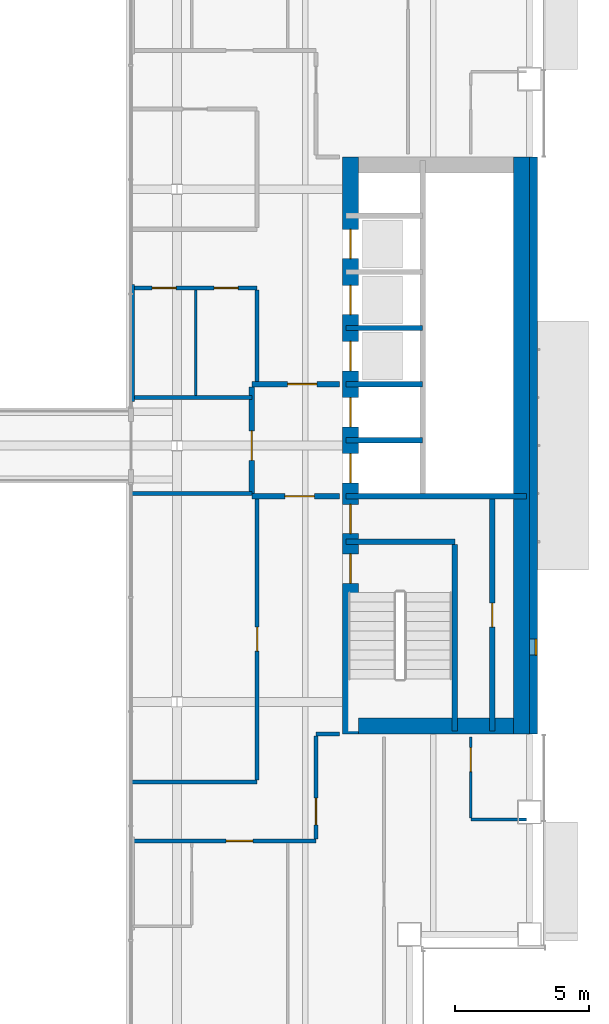
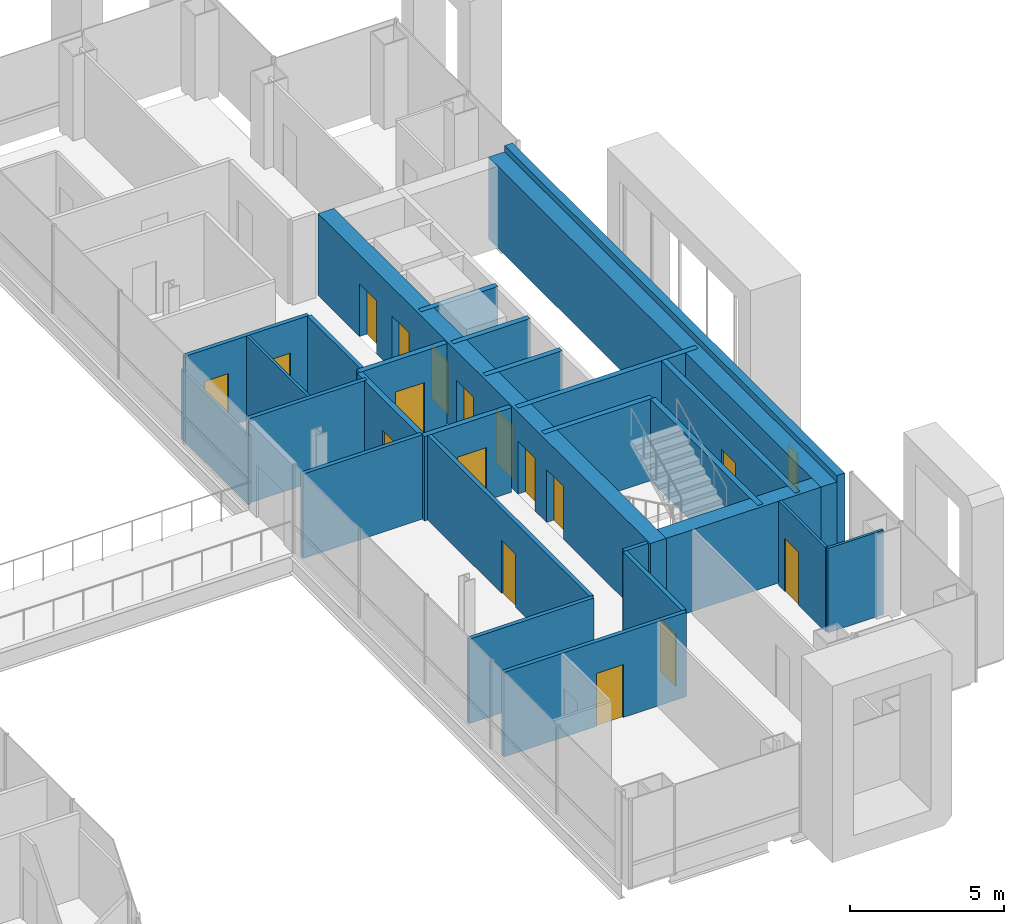
# One storey, part 13 of 20: 27 walls, 17 doors, 1 window, 18 openings.
"""IFC4 building model written with IfcOpenShell, lengths in metres."""

from ifc_helpers import new_model, si_unit, direction, frame, frame_2d, origin, place, context, subcontext, project, spatial, rectangle, extrude, material, layer, layer_set, type_object, element, fill, save


model = new_model("IFC4")

# Units and contexts
model_context = context("Model", 3, precision=1e-05, world=origin(), true_north=direction((0.0, 1.0)))
body_context = subcontext(model_context, "Body", "Model", "MODEL_VIEW")
ifc_project = project(units=[si_unit("LENGTHUNIT", "METRE"), si_unit("AREAUNIT", "SQUARE_METRE"), si_unit("VOLUMEUNIT", "CUBIC_METRE"), si_unit("PLANEANGLEUNIT", "RADIAN"), si_unit("MASSUNIT", "GRAM", prefix="KILO")], contexts=[model_context])

# Site, building, storey
site_placement = place(None, origin())
site = spatial("IfcSite", under=ifc_project, at=site_placement, CompositionType="ELEMENT")
building_placement = place(site_placement, origin())
building = spatial("IfcBuilding", under=site, at=building_placement, Name="Cobrizo Arcos Hotel Tower", CompositionType="ELEMENT")
storey_placement = place(building_placement, frame((0.0, 0.0, 124.0)))
storey = spatial("IfcBuildingStorey", under=building, at=storey_placement, Name="L31", CompositionType="ELEMENT", Elevation=124.0)

# Wall, opening, door
ifc_material_1 = material(Name="Gypsum board partition")
ifc_layer_1 = layer(ifc_material_1, 0.14990234375)
ifc_layer_set_1 = layer_set([ifc_layer_1], Name="Corridor wall EI 60 150")
wall_type_1 = type_object("IfcWallType", Name="Corridor wall EI 60 150", PredefinedType="PARTITIONING", material=ifc_layer_set_1)
wall_1_placement = place(storey_placement, frame((7.949951171875, -14.800048828125, 0.0), z_axis=(0.0, 0.0, 1.0), x_axis=(1.0, 0.0, 0.0)))
wall_1 = element("IfcWall", 1, at=wall_1_placement, inside=storey, type_object=wall_type_1, Name="Partition 006", PredefinedType="PARTITIONING", context=body_context, shape_type="SweptSolid", body=[
    extrude(rectangle(XDim=6.85009765625, YDim=0.14990234375, at=frame_2d((3.425048828125, 0.0))), origin(), (0.0, 0.0, 1.0), 3.35009765625),
])
opening_1_placement = place(wall_1_placement, frame((3.487060546875, 0.0, 0.0)))
opening_1 = element("IfcOpeningElement", 2, at=opening_1_placement, cuts=wall_1, Name="Opening GD-03", PredefinedType="OPENING", context=body_context, shape_type="SweptSolid", body=[
    extrude(rectangle(XDim=1.0, YDim=2.10009765625, at=frame_2d((0.5, 1.050048828125))), frame((0.0, 0.0869140625, 0.0), z_axis=(0.0, -1.0, 0.0), x_axis=(1.0, 0.0, 0.0)), (0.0, 0.0, 1.0), 0.173828125),
])
ifc_material_2 = material(Name="Timber door leaf", Category="wood")
door_type_1 = type_object("IfcDoorType", Name="Guest room door FD30S 1000x2100", OperationType="SINGLE_SWING_LEFT", PredefinedType="DOOR", material=ifc_material_2)
door_1_placement = place(opening_1_placement, origin())
door_1 = element("IfcDoor", 3, at=door_1_placement, inside=storey, type_object=door_type_1, Name="Door GD-03", OperationType="SINGLE_SWING_RIGHT", OverallHeight=2.10009765625, OverallWidth=1.0, PredefinedType="DOOR", context=body_context, shape_type="SweptSolid", body=[
    extrude(rectangle(XDim=1.0, YDim=2.10009765625, at=frame_2d((0.5, 1.050048828125))), frame((0.0, 0.02490234375, 0.0), z_axis=(0.0, -1.0, 0.0), x_axis=(1.0, 0.0, 0.0)), (0.0, 0.0, 1.0), 0.050048828125),
])
fill(opening_1, door_1)

# Walls
wall_2_placement = place(storey_placement, frame((7.919921875, -12.60009765625, 0.0), z_axis=(0.0, 0.0, 1.0), x_axis=(1.0, 0.0, 0.0)))
element("IfcWall", 4, at=wall_2_placement, inside=storey, type_object=wall_type_1, Name="Partition 009", PredefinedType="PARTITIONING", context=body_context, shape_type="SweptSolid", body=[
    extrude(rectangle(XDim=4.68017578125, YDim=0.14990234375, at=frame_2d((2.340087890625, 0.0))), origin(), (0.0, 0.0, 1.0), 3.35009765625),
])
wall_3_placement = place(storey_placement, frame((14.800048828125, -10.800048828125, 0.0), z_axis=(0.0, 0.0, 1.0), x_axis=(1.0, 0.0, 0.0)))
element("IfcWall", 5, at=wall_3_placement, inside=storey, type_object=wall_type_1, Name="Partition 011", PredefinedType="PARTITIONING", context=body_context, shape_type="SweptSolid", body=[
    extrude(rectangle(XDim=0.8798828125, YDim=0.14990234375, at=frame_2d((0.43994140625, 0.0))), origin(), (0.0, 0.0, 1.0), 3.35009765625),
])
wall_4_placement = place(storey_placement, frame((7.919921875, -1.800048828125, 0.0), z_axis=(0.0, 0.0, 1.0), x_axis=(1.0, 0.0, 0.0)))
element("IfcWall", 6, at=wall_4_placement, inside=storey, type_object=wall_type_1, Name="Partition 019", PredefinedType="PARTITIONING", context=body_context, shape_type="SweptSolid", body=[
    extrude(rectangle(XDim=4.47998046875, YDim=0.14990234375, at=frame_2d((2.239990234375, 0.0))), origin(), (0.0, 0.0, 1.0), 3.35009765625),
])
wall_5_placement = place(storey_placement, frame((7.949951171875, 1.800048828125, 0.0), z_axis=(0.0, 0.0, 1.0), x_axis=(1.0, 0.0, 0.0)))
element("IfcWall", 7, at=wall_5_placement, inside=storey, type_object=wall_type_1, Name="Partition 023", PredefinedType="PARTITIONING", context=body_context, shape_type="SweptSolid", body=[
    extrude(rectangle(XDim=4.449951171875, YDim=0.14990234375, at=frame_2d((2.22509765625, 0.0))), origin(), (0.0, 0.0, 1.0), 3.35009765625),
])

# Wall, openings, doors
wall_6_placement = place(storey_placement, frame((7.949951171875, 5.89990234375, 0.0), z_axis=(0.0, 0.0, 1.0), x_axis=(1.0, 0.0, 0.0)))
wall_6 = element("IfcWall", 8, at=wall_6_placement, inside=storey, type_object=wall_type_1, Name="Partition 031", PredefinedType="PARTITIONING", context=body_context, shape_type="SweptSolid", body=[
    extrude(rectangle(XDim=4.650146484375, YDim=0.14990234375, at=frame_2d((2.3251953125, 0.0))), origin(), (0.0, 0.0, 1.0), 3.35009765625),
])
opening_2_placement = place(wall_6_placement, frame((0.712890625, 0.0, 0.0)))
opening_2 = element("IfcOpeningElement", 9, at=opening_2_placement, cuts=wall_6, Name="Opening ED-10", PredefinedType="OPENING", context=body_context, shape_type="SweptSolid", body=[
    extrude(rectangle(XDim=0.89990234375, YDim=2.10009765625, at=frame_2d((0.449951171875, 1.050048828125))), frame((0.0, 0.0869140625, 0.0), z_axis=(0.0, -1.0, 0.0), x_axis=(1.0, 0.0, 0.0)), (0.0, 0.0, 1.0), 0.173828125),
])
opening_3_placement = place(wall_6_placement, frame((3.037109375, 0.0, 0.0)))
opening_3 = element("IfcOpeningElement", 10, at=opening_3_placement, cuts=wall_6, Name="Opening ED-11", PredefinedType="OPENING", context=body_context, shape_type="SweptSolid", body=[
    extrude(rectangle(XDim=0.89990234375, YDim=2.10009765625, at=frame_2d((0.449951171875, 1.050048828125))), frame((0.0, 0.0869140625, 0.0), z_axis=(0.0, -1.0, 0.0), x_axis=(1.0, 0.0, 0.0)), (0.0, 0.0, 1.0), 0.173828125),
])
door_type_2 = type_object("IfcDoorType", Name="En-suite door 900x2100", OperationType="SINGLE_SWING_LEFT", PredefinedType="DOOR", material=ifc_material_2)
door_2_placement = place(opening_2_placement, origin())
door_2 = element("IfcDoor", 11, at=door_2_placement, inside=storey, type_object=door_type_2, Name="Door ED-10", OperationType="SINGLE_SWING_LEFT", OverallHeight=2.10009765625, OverallWidth=0.89990234375, PredefinedType="DOOR", context=body_context, shape_type="SweptSolid", body=[
    extrude(rectangle(XDim=0.89990234375, YDim=2.10009765625, at=frame_2d((0.449951171875, 1.050048828125))), frame((0.0, 0.02490234375, 0.0), z_axis=(0.0, -1.0, 0.0), x_axis=(1.0, 0.0, 0.0)), (0.0, 0.0, 1.0), 0.050048828125),
])
fill(opening_2, door_2)
door_3_placement = place(opening_3_placement, origin())
door_3 = element("IfcDoor", 12, at=door_3_placement, inside=storey, type_object=door_type_2, Name="Door ED-11", OperationType="SINGLE_SWING_RIGHT", OverallHeight=2.10009765625, OverallWidth=0.89990234375, PredefinedType="DOOR", context=body_context, shape_type="SweptSolid", body=[
    extrude(rectangle(XDim=0.89990234375, YDim=2.10009765625, at=frame_2d((0.449951171875, 1.050048828125))), frame((0.0, 0.02490234375, 0.0), z_axis=(0.0, -1.0, 0.0), x_axis=(1.0, 0.0, 0.0)), (0.0, 0.0, 1.0), 0.050048828125),
])
fill(opening_3, door_3)

# Wall, opening, door
wall_7_placement = place(storey_placement, frame((12.60009765625, -12.52490234375, 0.0), z_axis=(0.0, 0.0, 1.0), x_axis=(0.0, 1.0, 0.0)))
wall_7 = element("IfcWall", 13, at=wall_7_placement, inside=storey, type_object=wall_type_1, Name="Partition 073", PredefinedType="PARTITIONING", context=body_context, shape_type="SweptSolid", body=[
    extrude(rectangle(XDim=10.52490234375, YDim=0.14990234375, at=frame_2d((5.262451171875, 0.0))), origin(), (0.0, 0.0, 1.0), 3.35009765625),
])
opening_4_placement = place(wall_7_placement, frame((4.824951171875, 0.0, 0.0)))
opening_4 = element("IfcOpeningElement", 14, at=opening_4_placement, cuts=wall_7, Name="Opening RD-10", PredefinedType="OPENING", context=body_context, shape_type="SweptSolid", body=[
    extrude(rectangle(XDim=0.89990234375, YDim=2.10009765625, at=frame_2d((0.449951171875, 1.050048828125))), frame((0.0, 0.0869140625, 0.0), z_axis=(0.0, -1.0, 0.0), x_axis=(1.0, 0.0, 0.0)), (0.0, 0.0, 1.0), 0.173828125),
])
door_type_3 = type_object("IfcDoorType", Name="Room door FD30 900x2100", OperationType="SINGLE_SWING_LEFT", PredefinedType="DOOR", material=ifc_material_2)
door_4_placement = place(opening_4_placement, origin())
door_4 = element("IfcDoor", 15, at=door_4_placement, inside=storey, type_object=door_type_3, Name="Door RD-10", OperationType="SINGLE_SWING_RIGHT", OverallHeight=2.10009765625, OverallWidth=0.89990234375, PredefinedType="DOOR", context=body_context, shape_type="SweptSolid", body=[
    extrude(rectangle(XDim=0.89990234375, YDim=2.10009765625, at=frame_2d((0.449951171875, 1.050048828125))), frame((0.0, 0.02490234375, 0.0), z_axis=(0.0, -1.0, 0.0), x_axis=(1.0, 0.0, 0.0)), (0.0, 0.0, 1.0), 0.050048828125),
])
fill(opening_4, door_4)

# Wall
wall_8_placement = place(storey_placement, frame((12.60009765625, 2.39990234375, 0.0), z_axis=(0.0, 0.0, 1.0), x_axis=(0.0, 1.0, 0.0)))
element("IfcWall", 16, at=wall_8_placement, inside=storey, type_object=wall_type_1, Name="Partition 074", PredefinedType="PARTITIONING", context=body_context, shape_type="SweptSolid", body=[
    extrude(rectangle(XDim=3.425048828125, YDim=0.14990234375, at=frame_2d((1.71240234375, 0.0))), origin(), (0.0, 0.0, 1.0), 3.35009765625),
])

# Wall, opening, door
wall_9_placement = place(storey_placement, frame((14.800048828125, -14.72509765625, 0.0), z_axis=(0.0, 0.0, 1.0), x_axis=(0.0, 1.0, 0.0)))
wall_9 = element("IfcWall", 17, at=wall_9_placement, inside=storey, type_object=wall_type_1, Name="Partition 078", PredefinedType="PARTITIONING", context=body_context, shape_type="SweptSolid", body=[
    extrude(rectangle(XDim=3.85009765625, YDim=0.14990234375, at=frame_2d((1.925048828125, 0.0))), origin(), (0.0, 0.0, 1.0), 3.35009765625),
])
opening_5_placement = place(wall_9_placement, frame((0.52490234375, 0.0, 0.0)))
opening_5 = element("IfcOpeningElement", 18, at=opening_5_placement, cuts=wall_9, Name="Opening GD-07", PredefinedType="OPENING", context=body_context, shape_type="SweptSolid", body=[
    extrude(rectangle(XDim=1.0, YDim=2.10009765625, at=frame_2d((0.5, 1.050048828125))), frame((0.0, 0.0869140625, 0.0), z_axis=(0.0, -1.0, 0.0), x_axis=(1.0, 0.0, 0.0)), (0.0, 0.0, 1.0), 0.173828125),
])
door_5_placement = place(opening_5_placement, origin())
door_5 = element("IfcDoor", 19, at=door_5_placement, inside=storey, type_object=door_type_1, Name="Door GD-07", OperationType="SINGLE_SWING_LEFT", OverallHeight=2.10009765625, OverallWidth=1.0, PredefinedType="DOOR", context=body_context, shape_type="SweptSolid", body=[
    extrude(rectangle(XDim=1.0, YDim=2.10009765625, at=frame_2d((0.5, 1.050048828125))), frame((0.0, 0.02490234375, 0.0), z_axis=(0.0, -1.0, 0.0), x_axis=(1.0, 0.0, 0.0)), (0.0, 0.0, 1.0), 0.050048828125),
])
fill(opening_5, door_5)

# Wall, opening, window
ifc_material_3 = material(Name="Aluminium composite panel pale metal", Category="aluminium")
ifc_layer_2 = layer(ifc_material_3, 0.300048828125)
ifc_layer_set_2 = layer_set([ifc_layer_2], Name="EW-1 insulated panel wall 300")
wall_type_2 = type_object("IfcWallType", Name="EW-1 insulated panel wall 300", PredefinedType="SOLIDWALL", material=ifc_layer_set_2)
wall_10_placement = place(storey_placement, frame((22.949951171875, -10.800048828125, 0.0), z_axis=(0.0, 0.0, 1.0), x_axis=(0.0, 1.0, 0.0)))
wall_10 = element("IfcWall", 20, at=wall_10_placement, inside=storey, type_object=wall_type_2, Name="Core face wall L31 E", PredefinedType="SOLIDWALL", context=body_context, shape_type="SweptSolid", body=[
    extrude(rectangle(XDim=21.60009765625, YDim=0.300048828125, at=frame_2d((10.800048828125, 0.0))), origin(), (0.0, 0.0, 1.0), 3.5),
])
opening_6_placement = place(wall_10_placement, frame((2.949951171875, 0.0, 1.0)))
opening_6 = element("IfcOpeningElement", 21, at=opening_6_placement, cuts=wall_10, Name="Opening W-63", PredefinedType="OPENING", context=body_context, shape_type="SweptSolid", body=[
    extrude(rectangle(XDim=0.60009765625, YDim=1.5, at=frame_2d((0.300048828125, 0.75))), frame((0.0, 0.162109375, 0.0), z_axis=(0.0, -1.0, 0.0), x_axis=(1.0, 0.0, 0.0)), (0.0, 0.0, 1.0), 0.323974609375),
])
ifc_material_4 = material(Name="Aluminium 6063-T6 and clear laminated glass", Category="aluminium")
window_type = type_object("IfcWindowType", Name="W-C1 core stair slot window 600x1500", PartitioningType="SINGLE_PANEL", PredefinedType="WINDOW", material=ifc_material_4)
window_placement = place(opening_6_placement, origin())
window = element("IfcWindow", 22, at=window_placement, inside=storey, type_object=window_type, Name="Core face wall L31 E window W-63", OverallHeight=1.5, OverallWidth=0.60009765625, PartitioningType="SINGLE_PANEL", PredefinedType="WINDOW", context=body_context, shape_type="SweptSolid", body=[
    extrude(rectangle(XDim=0.60009765625, YDim=1.5, at=frame_2d((0.300048828125, 0.75))), frame((0.0, -0.06005859375, 0.0), z_axis=(0.0, -1.0, 0.0), x_axis=(1.0, 0.0, 0.0)), (0.0, 0.0, 1.0), 0.06005859375),
])
fill(opening_6, window)

# Walls
ifc_layer_3 = layer(ifc_material_1, 0.10009765625)
ifc_layer_set_3 = layer_set([ifc_layer_3], Name="Partition EI 30 100")
wall_type_3 = type_object("IfcWallType", Name="Partition EI 30 100", PredefinedType="PARTITIONING", material=ifc_layer_set_3)
wall_11_placement = place(storey_placement, frame((20.60009765625, -14.0, 0.0), z_axis=(0.0, 0.0, 1.0), x_axis=(1.0, 0.0, 0.0)))
element("IfcWall", 23, at=wall_11_placement, inside=storey, type_object=wall_type_3, Name="Partition 007", PredefinedType="PARTITIONING", context=body_context, shape_type="SweptSolid", body=[
    extrude(rectangle(XDim=2.079833984375, YDim=0.10009765625, at=frame_2d((1.0400390625, 0.0))), origin(), (0.0, 0.0, 1.0), 3.35009765625),
])
wall_12_placement = place(storey_placement, frame((7.949951171875, 1.659912109375, 0.0), z_axis=(0.0, 0.0, 1.0), x_axis=(0.0, 1.0, 0.0)))
element("IfcWall", 24, at=wall_12_placement, inside=storey, type_object=wall_type_3, Name="Partition 067", PredefinedType="PARTITIONING", context=body_context, shape_type="SweptSolid", body=[
    extrude(rectangle(XDim=4.380126953125, YDim=0.10009765625, at=frame_2d((2.18994140625, 0.0))), origin(), (0.0, 0.0, 1.0), 2.73291015625),
])
wall_13_placement = place(storey_placement, frame((10.300048828125, 1.875, 0.0), z_axis=(0.0, 0.0, 1.0), x_axis=(0.0, 1.0, 0.0)))
element("IfcWall", 25, at=wall_13_placement, inside=storey, type_object=wall_type_3, Name="Partition 071", PredefinedType="PARTITIONING", context=body_context, shape_type="SweptSolid", body=[
    extrude(rectangle(XDim=3.949951171875, YDim=0.10009765625, at=frame_2d((1.97509765625, 0.0))), origin(), (0.0, 0.0, 1.0), 3.35009765625),
])

# Wall, opening, door
wall_14_placement = place(storey_placement, frame((20.60009765625, -13.949951171875, 0.0), z_axis=(0.0, 0.0, 1.0), x_axis=(0.0, 1.0, 0.0)))
wall_14 = element("IfcWall", 26, at=wall_14_placement, inside=storey, type_object=wall_type_3, Name="Partition 084", PredefinedType="PARTITIONING", context=body_context, shape_type="SweptSolid", body=[
    extrude(rectangle(XDim=3.030029296875, YDim=0.10009765625, at=frame_2d((1.51513671875, 0.0))), origin(), (0.0, 0.0, 1.0), 3.35009765625),
])
opening_7_placement = place(wall_14_placement, frame((1.739990234375, 0.0, 0.0)))
opening_7 = element("IfcOpeningElement", 27, at=opening_7_placement, cuts=wall_14, Name="Opening ED-08", PredefinedType="OPENING", context=body_context, shape_type="SweptSolid", body=[
    extrude(rectangle(XDim=0.89990234375, YDim=2.10009765625, at=frame_2d((0.449951171875, 1.050048828125))), frame((0.0, 0.06201171875, 0.0), z_axis=(0.0, -1.0, 0.0), x_axis=(1.0, 0.0, 0.0)), (0.0, 0.0, 1.0), 0.1240234375),
])
door_6_placement = place(opening_7_placement, origin())
door_6 = element("IfcDoor", 28, at=door_6_placement, inside=storey, type_object=door_type_2, Name="Door ED-08", OperationType="SINGLE_SWING_LEFT", OverallHeight=2.10009765625, OverallWidth=0.89990234375, PredefinedType="DOOR", context=body_context, shape_type="SweptSolid", body=[
    extrude(rectangle(XDim=0.89990234375, YDim=2.10009765625, at=frame_2d((0.449951171875, 1.050048828125))), frame((0.0, 0.02490234375, 0.0), z_axis=(0.0, -1.0, 0.0), x_axis=(1.0, 0.0, 0.0)), (0.0, 0.0, 1.0), 0.050048828125),
])
fill(opening_7, door_6)

# Wall, openings, doors
ifc_material_5 = material(Name="Concrete f'c 50 MPa", Category="concrete")
ifc_layer_4 = layer(ifc_material_5, 0.60009765625)
ifc_layer_set_4 = layer_set([ifc_layer_4], Name="RC core wall 600 f'c 50")
wall_type_4 = type_object("IfcWallType", Name="RC core wall 600 f'c 50", PredefinedType="SHEAR", material=ifc_layer_set_4)
wall_15_placement = place(storey_placement, frame((16.10009765625, -10.800048828125, 0.0), z_axis=(0.0, 0.0, 1.0), x_axis=(0.0, 1.0, 0.0)))
wall_15 = element("IfcWall", 29, at=wall_15_placement, inside=storey, type_object=wall_type_4, Name="Core wall CW2, east core, inner face, L31", PredefinedType="SHEAR", context=body_context, shape_type="SweptSolid", body=[
    extrude(rectangle(XDim=21.60009765625, YDim=0.60009765625, at=frame_2d((10.800048828125, 0.0))), origin(), (0.0, 0.0, 1.0), 3.25),
])
opening_8_placement = place(wall_15_placement, frame((9.39990234375, 0.0, 0.0)))
opening_8 = element("IfcOpeningElement", 30, at=opening_8_placement, cuts=wall_15, Name="Opening LD-06", PredefinedType="OPENING", context=body_context, shape_type="SweptSolid", body=[
    extrude(rectangle(XDim=1.10009765625, YDim=2.10009765625, at=frame_2d((0.550048828125, 1.050048828125))), frame((0.0, 0.31201171875, 0.0), z_axis=(0.0, -1.0, 0.0), x_axis=(1.0, 0.0, 0.0)), (0.0, 0.0, 1.0), 0.6240234375),
])
opening_9_placement = place(wall_15_placement, frame((11.5, 0.0, 0.0)))
opening_9 = element("IfcOpeningElement", 31, at=opening_9_placement, cuts=wall_15, Name="Opening LD-07", PredefinedType="OPENING", context=body_context, shape_type="SweptSolid", body=[
    extrude(rectangle(XDim=1.10009765625, YDim=2.10009765625, at=frame_2d((0.550048828125, 1.050048828125))), frame((0.0, 0.31201171875, 0.0), z_axis=(0.0, -1.0, 0.0), x_axis=(1.0, 0.0, 0.0)), (0.0, 0.0, 1.0), 0.6240234375),
])
opening_10_placement = place(wall_15_placement, frame((13.60009765625, 0.0, 0.0)))
opening_10 = element("IfcOpeningElement", 32, at=opening_10_placement, cuts=wall_15, Name="Opening LD-08", PredefinedType="OPENING", context=body_context, shape_type="SweptSolid", body=[
    extrude(rectangle(XDim=1.10009765625, YDim=2.10009765625, at=frame_2d((0.550048828125, 1.050048828125))), frame((0.0, 0.31201171875, 0.0), z_axis=(0.0, -1.0, 0.0), x_axis=(1.0, 0.0, 0.0)), (0.0, 0.0, 1.0), 0.6240234375),
])
opening_11_placement = place(wall_15_placement, frame((15.699951171875, 0.0, 0.0)))
opening_11 = element("IfcOpeningElement", 33, at=opening_11_placement, cuts=wall_15, Name="Opening LD-09", PredefinedType="OPENING", context=body_context, shape_type="SweptSolid", body=[
    extrude(rectangle(XDim=1.10009765625, YDim=2.10009765625, at=frame_2d((0.550048828125, 1.050048828125))), frame((0.0, 0.31201171875, 0.0), z_axis=(0.0, -1.0, 0.0), x_axis=(1.0, 0.0, 0.0)), (0.0, 0.0, 1.0), 0.6240234375),
])
opening_12_placement = place(wall_15_placement, frame((17.800048828125, 0.0, 0.0)))
opening_12 = element("IfcOpeningElement", 34, at=opening_12_placement, cuts=wall_15, Name="Opening LD-10", PredefinedType="OPENING", context=body_context, shape_type="SweptSolid", body=[
    extrude(rectangle(XDim=1.10009765625, YDim=2.10009765625, at=frame_2d((0.550048828125, 1.050048828125))), frame((0.0, 0.31201171875, 0.0), z_axis=(0.0, -1.0, 0.0), x_axis=(1.0, 0.0, 0.0)), (0.0, 0.0, 1.0), 0.6240234375),
])
opening_13_placement = place(wall_15_placement, frame((5.64208984375, 0.0, 0.0)))
opening_13 = element("IfcOpeningElement", 35, at=opening_13_placement, cuts=wall_15, Name="Opening SD-02", PredefinedType="OPENING", context=body_context, shape_type="SweptSolid", body=[
    extrude(rectangle(XDim=1.10009765625, YDim=2.10009765625, at=frame_2d((0.550048828125, 1.050048828125))), frame((0.0, 0.31201171875, 0.0), z_axis=(0.0, -1.0, 0.0), x_axis=(1.0, 0.0, 0.0)), (0.0, 0.0, 1.0), 0.6240234375),
])
opening_14_placement = place(wall_15_placement, frame((7.5, 0.0, 0.0)))
opening_14 = element("IfcOpeningElement", 36, at=opening_14_placement, cuts=wall_15, Name="Opening FD-05", PredefinedType="OPENING", context=body_context, shape_type="SweptSolid", body=[
    extrude(rectangle(XDim=1.10009765625, YDim=2.10009765625, at=frame_2d((0.550048828125, 1.050048828125))), frame((0.0, 0.31201171875, 0.0), z_axis=(0.0, -1.0, 0.0), x_axis=(1.0, 0.0, 0.0)), (0.0, 0.0, 1.0), 0.6240234375),
])
ifc_material_6 = material(Name="Steel door leaf", Category="steel")
door_type_4 = type_object("IfcDoorType", Name="Fire door FD60 1100x2100", OperationType="SINGLE_SWING_LEFT", PredefinedType="DOOR", material=ifc_material_6)
door_7_placement = place(opening_14_placement, origin())
door_7 = element("IfcDoor", 37, at=door_7_placement, inside=storey, type_object=door_type_4, Name="Door FD-05", OperationType="SINGLE_SWING_RIGHT", OverallHeight=2.10009765625, OverallWidth=1.10009765625, PredefinedType="DOOR", context=body_context, shape_type="SweptSolid", body=[
    extrude(rectangle(XDim=1.10009765625, YDim=2.10009765625, at=frame_2d((0.550048828125, 1.050048828125))), frame((0.0, 0.02490234375, 0.0), z_axis=(0.0, -1.0, 0.0), x_axis=(1.0, 0.0, 0.0)), (0.0, 0.0, 1.0), 0.050048828125),
])
fill(opening_14, door_7)
door_type_5 = type_object("IfcDoorType", Name="Lift landing door 1100x2100", OperationType="SLIDING_TO_LEFT", PredefinedType="DOOR", material=ifc_material_6)
door_8_placement = place(opening_8_placement, origin())
door_8 = element("IfcDoor", 38, at=door_8_placement, inside=storey, type_object=door_type_5, Name="Lift landing door LD-06", OperationType="SLIDING_TO_LEFT", OverallHeight=2.10009765625, OverallWidth=1.10009765625, PredefinedType="DOOR", context=body_context, shape_type="SweptSolid", body=[
    extrude(rectangle(XDim=1.10009765625, YDim=2.10009765625, at=frame_2d((0.550048828125, 1.050048828125))), frame((0.0, 0.02490234375, 0.0), z_axis=(0.0, -1.0, 0.0), x_axis=(1.0, 0.0, 0.0)), (0.0, 0.0, 1.0), 0.050048828125),
])
fill(opening_8, door_8)
door_9_placement = place(opening_9_placement, origin())
door_9 = element("IfcDoor", 39, at=door_9_placement, inside=storey, type_object=door_type_5, Name="Lift landing door LD-07", OperationType="SLIDING_TO_LEFT", OverallHeight=2.10009765625, OverallWidth=1.10009765625, PredefinedType="DOOR", context=body_context, shape_type="SweptSolid", body=[
    extrude(rectangle(XDim=1.10009765625, YDim=2.10009765625, at=frame_2d((0.550048828125, 1.050048828125))), frame((0.0, 0.02490234375, 0.0), z_axis=(0.0, -1.0, 0.0), x_axis=(1.0, 0.0, 0.0)), (0.0, 0.0, 1.0), 0.050048828125),
])
fill(opening_9, door_9)
door_10_placement = place(opening_10_placement, origin())
door_10 = element("IfcDoor", 40, at=door_10_placement, inside=storey, type_object=door_type_5, Name="Lift landing door LD-08", OperationType="SLIDING_TO_LEFT", OverallHeight=2.10009765625, OverallWidth=1.10009765625, PredefinedType="DOOR", context=body_context, shape_type="SweptSolid", body=[
    extrude(rectangle(XDim=1.10009765625, YDim=2.10009765625, at=frame_2d((0.550048828125, 1.050048828125))), frame((0.0, 0.02490234375, 0.0), z_axis=(0.0, -1.0, 0.0), x_axis=(1.0, 0.0, 0.0)), (0.0, 0.0, 1.0), 0.050048828125),
])
fill(opening_10, door_10)
door_11_placement = place(opening_11_placement, origin())
door_11 = element("IfcDoor", 41, at=door_11_placement, inside=storey, type_object=door_type_5, Name="Lift landing door LD-09", OperationType="SLIDING_TO_LEFT", OverallHeight=2.10009765625, OverallWidth=1.10009765625, PredefinedType="DOOR", context=body_context, shape_type="SweptSolid", body=[
    extrude(rectangle(XDim=1.10009765625, YDim=2.10009765625, at=frame_2d((0.550048828125, 1.050048828125))), frame((0.0, 0.02490234375, 0.0), z_axis=(0.0, -1.0, 0.0), x_axis=(1.0, 0.0, 0.0)), (0.0, 0.0, 1.0), 0.050048828125),
])
fill(opening_11, door_11)
door_12_placement = place(opening_12_placement, origin())
door_12 = element("IfcDoor", 42, at=door_12_placement, inside=storey, type_object=door_type_5, Name="Lift landing door LD-10", OperationType="SLIDING_TO_LEFT", OverallHeight=2.10009765625, OverallWidth=1.10009765625, PredefinedType="DOOR", context=body_context, shape_type="SweptSolid", body=[
    extrude(rectangle(XDim=1.10009765625, YDim=2.10009765625, at=frame_2d((0.550048828125, 1.050048828125))), frame((0.0, 0.02490234375, 0.0), z_axis=(0.0, -1.0, 0.0), x_axis=(1.0, 0.0, 0.0)), (0.0, 0.0, 1.0), 0.050048828125),
])
fill(opening_12, door_12)
door_type_6 = type_object("IfcDoorType", Name="Stair door FD60S 1100x2100", OperationType="SINGLE_SWING_LEFT", PredefinedType="DOOR", material=ifc_material_6)
door_13_placement = place(opening_13_placement, origin())
door_13 = element("IfcDoor", 43, at=door_13_placement, inside=storey, type_object=door_type_6, Name="Door SD-02", OperationType="SINGLE_SWING_LEFT", OverallHeight=2.10009765625, OverallWidth=1.10009765625, PredefinedType="DOOR", context=body_context, shape_type="SweptSolid", body=[
    extrude(rectangle(XDim=1.10009765625, YDim=2.10009765625, at=frame_2d((0.550048828125, 1.050048828125))), frame((0.0, 0.02490234375, 0.0), z_axis=(0.0, -1.0, 0.0), x_axis=(1.0, 0.0, 0.0)), (0.0, 0.0, 1.0), 0.050048828125),
])
fill(opening_13, door_13)

# Walls
wall_16_placement = place(storey_placement, frame((22.5, -10.800048828125, 0.0), z_axis=(0.0, 0.0, 1.0), x_axis=(0.0, 1.0, 0.0)))
element("IfcWall", 44, at=wall_16_placement, inside=storey, type_object=wall_type_4, Name="Core wall CW2, east core, outer face, L31", PredefinedType="SHEAR", context=body_context, shape_type="SweptSolid", body=[
    extrude(rectangle(XDim=21.60009765625, YDim=0.60009765625, at=frame_2d((10.800048828125, 0.0))), origin(), (0.0, 0.0, 1.0), 3.25),
])
wall_17_placement = place(storey_placement, frame((16.39990234375, -10.5, 0.0), z_axis=(0.0, 0.0, 1.0), x_axis=(1.0, 0.0, 0.0)))
element("IfcWall", 45, at=wall_17_placement, inside=storey, type_object=wall_type_4, Name="Core wall CW2, east core, south end, L31", PredefinedType="SHEAR", context=body_context, shape_type="SweptSolid", body=[
    extrude(rectangle(XDim=5.800048828125, YDim=0.60009765625, at=frame_2d((2.89990234375, 0.0))), origin(), (0.0, 0.0, 1.0), 3.25),
])

# Wall, opening, door
ifc_layer_5 = layer(ifc_material_1, 0.199951171875)
ifc_layer_set_5 = layer_set([ifc_layer_5], Name="Shaft wall EI 120 200")
wall_type_5 = type_object("IfcWallType", Name="Shaft wall EI 120 200", PredefinedType="PARTITIONING", material=ifc_layer_set_5)
wall_18_placement = place(storey_placement, frame((12.39990234375, -1.89990234375, 0.0), z_axis=(0.0, 0.0, 1.0), x_axis=(1.0, 0.0, 0.0)))
wall_18 = element("IfcWall", 46, at=wall_18_placement, inside=storey, type_object=wall_type_5, Name="Partition 016", PredefinedType="PARTITIONING", context=body_context, shape_type="SweptSolid", body=[
    extrude(rectangle(XDim=3.280029296875, YDim=0.199951171875, at=frame_2d((1.64013671875, 0.0))), origin(), (0.0, 0.0, 1.0), 3.35009765625),
])
opening_15_placement = place(wall_18_placement, frame((1.239990234375, 0.0, 0.0)))
opening_15 = element("IfcOpeningElement", 47, at=opening_15_placement, cuts=wall_18, Name="Opening FD-07", PredefinedType="OPENING", context=body_context, shape_type="SweptSolid", body=[
    extrude(rectangle(XDim=1.10009765625, YDim=2.10009765625, at=frame_2d((0.550048828125, 1.050048828125))), frame((0.0, 0.112060546875, 0.0), z_axis=(0.0, -1.0, 0.0), x_axis=(1.0, 0.0, 0.0)), (0.0, 0.0, 1.0), 0.223876953125),
])
door_14_placement = place(opening_15_placement, origin())
door_14 = element("IfcDoor", 48, at=door_14_placement, inside=storey, type_object=door_type_4, Name="Door FD-07", OperationType="SINGLE_SWING_RIGHT", OverallHeight=2.10009765625, OverallWidth=1.10009765625, PredefinedType="DOOR", context=body_context, shape_type="SweptSolid", body=[
    extrude(rectangle(XDim=1.10009765625, YDim=2.10009765625, at=frame_2d((0.550048828125, 1.050048828125))), frame((0.0, 0.02490234375, 0.0), z_axis=(0.0, -1.0, 0.0), x_axis=(1.0, 0.0, 0.0)), (0.0, 0.0, 1.0), 0.050048828125),
])
fill(opening_15, door_14)

# Walls
wall_19_placement = place(storey_placement, frame((15.919921875, -1.89990234375, 0.0), z_axis=(0.0, 0.0, 1.0), x_axis=(1.0, 0.0, 0.0)))
element("IfcWall", 49, at=wall_19_placement, inside=storey, type_object=wall_type_5, Name="Partition 017", PredefinedType="PARTITIONING", context=body_context, shape_type="SweptSolid", body=[
    extrude(rectangle(XDim=6.760009765625, YDim=0.199951171875, at=frame_2d((3.3798828125, 0.0))), origin(), (0.0, 0.0, 1.0), 3.25),
])
wall_20_placement = place(storey_placement, frame((15.919921875, 0.199951171875, 0.0), z_axis=(0.0, 0.0, 1.0), x_axis=(1.0, 0.0, 0.0)))
element("IfcWall", 50, at=wall_20_placement, inside=storey, type_object=wall_type_5, Name="Partition 021", PredefinedType="PARTITIONING", context=body_context, shape_type="SweptSolid", body=[
    extrude(rectangle(XDim=2.880126953125, YDim=0.199951171875, at=frame_2d((1.43994140625, 0.0))), origin(), (0.0, 0.0, 1.0), 3.25),
])

# Wall, opening, door
wall_21_placement = place(storey_placement, frame((12.39990234375, 2.300048828125, 0.0), z_axis=(0.0, 0.0, 1.0), x_axis=(1.0, 0.0, 0.0)))
wall_21 = element("IfcWall", 51, at=wall_21_placement, inside=storey, type_object=wall_type_5, Name="Partition 026", PredefinedType="PARTITIONING", context=body_context, shape_type="SweptSolid", body=[
    extrude(rectangle(XDim=3.280029296875, YDim=0.199951171875, at=frame_2d((1.64013671875, 0.0))), origin(), (0.0, 0.0, 1.0), 3.35009765625),
])
opening_16_placement = place(wall_21_placement, frame((1.340087890625, 0.0, 0.0)))
opening_16 = element("IfcOpeningElement", 52, at=opening_16_placement, cuts=wall_21, Name="Opening FD-08", PredefinedType="OPENING", context=body_context, shape_type="SweptSolid", body=[
    extrude(rectangle(XDim=1.10009765625, YDim=2.10009765625, at=frame_2d((0.550048828125, 1.050048828125))), frame((0.0, 0.112060546875, 0.0), z_axis=(0.0, -1.0, 0.0), x_axis=(1.0, 0.0, 0.0)), (0.0, 0.0, 1.0), 0.223876953125),
])
door_15_placement = place(opening_16_placement, origin())
door_15 = element("IfcDoor", 53, at=door_15_placement, inside=storey, type_object=door_type_4, Name="Door FD-08", OperationType="SINGLE_SWING_LEFT", OverallHeight=2.10009765625, OverallWidth=1.10009765625, PredefinedType="DOOR", context=body_context, shape_type="SweptSolid", body=[
    extrude(rectangle(XDim=1.10009765625, YDim=2.10009765625, at=frame_2d((0.550048828125, 1.050048828125))), frame((0.0, 0.02490234375, 0.0), z_axis=(0.0, -1.0, 0.0), x_axis=(1.0, 0.0, 0.0)), (0.0, 0.0, 1.0), 0.050048828125),
])
fill(opening_16, door_15)

# Walls
for number, where, z_axis, x_axis, name in (
    (54, (15.919921875, 2.300048828125, 0.0), (0.0, 0.0, 1.0), (1.0, 0.0, 0.0), "Partition 027"),
    (55, (15.919921875, 4.39990234375, 0.0), (0.0, 0.0, 1.0), (1.0, 0.0, 0.0), "Partition 029"),
):
    element("IfcWall", number, at=place(storey_placement, frame(where, z_axis=z_axis, x_axis=x_axis)), inside=storey, type_object=wall_type_5, Name=name, PredefinedType="PARTITIONING", context=body_context, shape_type="SweptSolid", body=[
        extrude(rectangle(XDim=2.880126953125, YDim=0.199951171875, at=frame_2d((1.43994140625, 0.0))), origin(), (0.0, 0.0, 1.0), 3.25),
    ])

# Wall, opening, door
wall_22_placement = place(storey_placement, frame((12.39990234375, -1.800048828125, 0.0), z_axis=(0.0, 0.0, 1.0), x_axis=(0.0, 1.0, 0.0)))
wall_22 = element("IfcWall", 56, at=wall_22_placement, inside=storey, type_object=wall_type_5, Name="Partition 072", PredefinedType="PARTITIONING", context=body_context, shape_type="SweptSolid", body=[
    extrude(rectangle(XDim=4.0, YDim=0.199951171875, at=frame_2d((2.0, 0.0))), origin(), (0.0, 0.0, 1.0), 3.35009765625),
])
opening_17_placement = place(wall_22_placement, frame((1.25, 0.0, 0.0)))
opening_17 = element("IfcOpeningElement", 57, at=opening_17_placement, cuts=wall_22, Name="Opening FD-06", PredefinedType="OPENING", context=body_context, shape_type="SweptSolid", body=[
    extrude(rectangle(XDim=1.10009765625, YDim=2.10009765625, at=frame_2d((0.550048828125, 1.050048828125))), frame((0.0, 0.112060546875, 0.0), z_axis=(0.0, -1.0, 0.0), x_axis=(1.0, 0.0, 0.0)), (0.0, 0.0, 1.0), 0.223876953125),
])
door_16_placement = place(opening_17_placement, origin())
door_16 = element("IfcDoor", 58, at=door_16_placement, inside=storey, type_object=door_type_4, Name="Door FD-06", OperationType="SINGLE_SWING_RIGHT", OverallHeight=2.10009765625, OverallWidth=1.10009765625, PredefinedType="DOOR", context=body_context, shape_type="SweptSolid", body=[
    extrude(rectangle(XDim=1.10009765625, YDim=2.10009765625, at=frame_2d((0.550048828125, 1.050048828125))), frame((0.0, 0.02490234375, 0.0), z_axis=(0.0, -1.0, 0.0), x_axis=(1.0, 0.0, 0.0)), (0.0, 0.0, 1.0), 0.050048828125),
])
fill(opening_17, door_16)

wall_23_placement = place(storey_placement, frame((21.39990234375, -10.679931640625, 0.0), z_axis=(0.0, 0.0, 1.0), x_axis=(0.0, 1.0, 0.0)))
wall_23 = element("IfcWall", 59, at=wall_23_placement, inside=storey, type_object=wall_type_5, Name="Partition 086", PredefinedType="PARTITIONING", context=body_context, shape_type="SweptSolid", body=[
    extrude(rectangle(XDim=8.679931640625, YDim=0.199951171875, at=frame_2d((4.33984375, 0.0))), origin(), (0.0, 0.0, 1.0), 3.25),
])
opening_18_placement = place(wall_23_placement, frame((3.8798828125, 0.0, 0.0)))
opening_18 = element("IfcOpeningElement", 60, at=opening_18_placement, cuts=wall_23, Name="Opening RD-01", PredefinedType="OPENING", context=body_context, shape_type="SweptSolid", body=[
    extrude(rectangle(XDim=0.89990234375, YDim=2.10009765625, at=frame_2d((0.449951171875, 1.050048828125))), frame((0.0, 0.112060546875, 0.0), z_axis=(0.0, -1.0, 0.0), x_axis=(1.0, 0.0, 0.0)), (0.0, 0.0, 1.0), 0.223876953125),
])
door_17_placement = place(opening_18_placement, origin())
door_17 = element("IfcDoor", 61, at=door_17_placement, inside=storey, type_object=door_type_3, Name="Door RD-01", OperationType="SINGLE_SWING_RIGHT", OverallHeight=2.10009765625, OverallWidth=0.89990234375, PredefinedType="DOOR", context=body_context, shape_type="SweptSolid", body=[
    extrude(rectangle(XDim=0.89990234375, YDim=2.10009765625, at=frame_2d((0.449951171875, 1.050048828125))), frame((0.0, 0.02490234375, 0.0), z_axis=(0.0, -1.0, 0.0), x_axis=(1.0, 0.0, 0.0)), (0.0, 0.0, 1.0), 0.050048828125),
])
fill(opening_18, door_17)

# Walls
ifc_material_7 = material(Name="Concrete f'c 40 MPa", Category="concrete")
ifc_layer_6 = layer(ifc_material_7, 0.199951171875)
ifc_layer_set_6 = layer_set([ifc_layer_6], Name="Stair shaft wall 200")
wall_type_6 = type_object("IfcWallType", Name="Stair shaft wall 200", PredefinedType="SHEAR", material=ifc_layer_set_6)
wall_24_placement = place(storey_placement, frame((15.919921875, -3.60009765625, 0.0), z_axis=(0.0, 0.0, 1.0), x_axis=(1.0, 0.0, 0.0)))
element("IfcWall", 62, at=wall_24_placement, inside=storey, type_object=wall_type_6, Name="Stair shaft wall E", PredefinedType="SHEAR", context=body_context, shape_type="SweptSolid", body=[
    extrude(rectangle(XDim=4.080078125, YDim=0.199951171875, at=frame_2d((2.0400390625, 0.0))), origin(), (0.0, 0.0, 1.0), 3.25),
])
wall_25_placement = place(storey_placement, frame((20.0, -10.679931640625, 0.0), z_axis=(0.0, 0.0, 1.0), x_axis=(0.0, 1.0, 0.0)))
element("IfcWall", 63, at=wall_25_placement, inside=storey, type_object=wall_type_6, Name="Stair shaft wall E", PredefinedType="SHEAR", context=body_context, shape_type="SweptSolid", body=[
    extrude(rectangle(XDim=6.97998046875, YDim=0.199951171875, at=frame_2d((3.489990234375, 0.0))), origin(), (0.0, 0.0, 1.0), 3.25),
])

save(model, "model.ifc")
